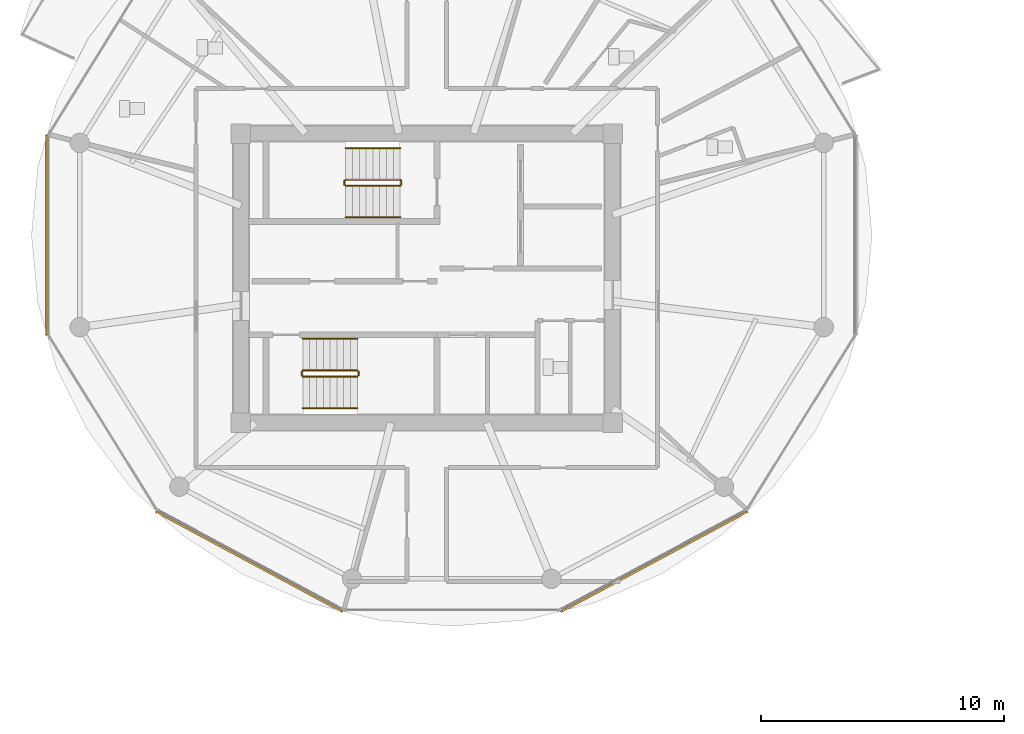
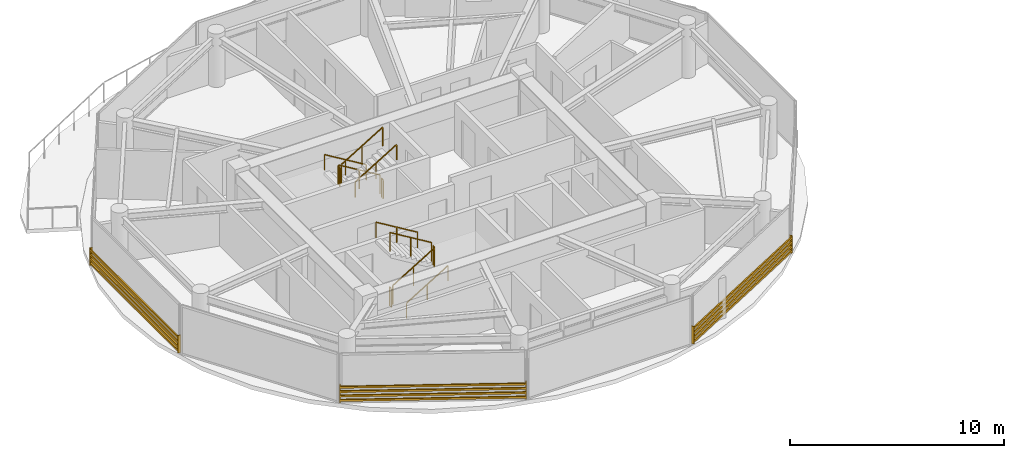
# One storey, part 18 of 21: 12 railings, 3 shading devices.
"""IFC4 building model written with IfcOpenShell, lengths in metres."""

from ifc_helpers import new_model, si_unit, direction, frame, origin, origin_2d, place, context, subcontext, project, spatial, rectangle, extrude, source, transform, mapped, material, type_object, type_shapes, element, save


model = new_model("IFC4")

# Units and contexts
model_context = context("Model", 3, precision=1e-05, world=origin(), true_north=direction((0.0, 1.0)))
body_context = subcontext(model_context, "Body", "Model", "MODEL_VIEW")
ifc_project = project(units=[si_unit("LENGTHUNIT", "METRE"), si_unit("AREAUNIT", "SQUARE_METRE"), si_unit("VOLUMEUNIT", "CUBIC_METRE"), si_unit("PLANEANGLEUNIT", "RADIAN"), si_unit("MASSUNIT", "GRAM", prefix="KILO")], contexts=[model_context])

# Site, building, storey
site_placement = place(None, origin())
site = spatial("IfcSite", under=ifc_project, at=site_placement, CompositionType="ELEMENT")
building_placement = place(site_placement, origin())
building = spatial("IfcBuilding", under=site, at=building_placement, Name="Norrkilde Senior Care Towers", CompositionType="ELEMENT")
storey_placement = place(building_placement, frame((0.0, 0.0, 146.5)))
storey = spatial("IfcBuildingStorey", under=building, at=storey_placement, Name="L45", CompositionType="ELEMENT", Elevation=146.5)

# Railings
ifc_material_1 = material(Name="Stainless Steel", Category="steel")
railing_type_1 = type_object("IfcRailingType", Name="Stair and Terrace Guardrail 1100", PredefinedType="GUARDRAIL", material=ifc_material_1)
railing_1_placement = place(storey_placement, frame((-29.10009765625, 4.050048828125, 0.16943359375)))
element("IfcRailing", 1, at=railing_1_placement, inside=storey, type_object=railing_type_1, Name="L45 ST-W1 stair guard 1", PredefinedType="GUARDRAIL", context=body_context, shape_type="SweptSolid", body=[
    extrude(rectangle(XDim=0.048095703125, YDim=0.048095703125, at=origin_2d()), frame((0.0, 0.0, 1.076171875), z_axis=(-0.855553338991, 0.0, 0.51771467445), x_axis=(0.0, -1.0, 0.0)), (0.0, 0.0, 1.0), 2.6181640625),
    extrude(rectangle(XDim=0.0419921875, YDim=0.0419921875, at=origin_2d()), origin(), (0.0, 0.0, 1.0), 1.050048828125),
    extrude(rectangle(XDim=0.0419921875, YDim=0.0419921875, at=origin_2d()), frame((-1.1201171875, 0.0, 0.677734375)), (0.0, 0.0, 1.0), 1.050048828125),
    extrude(rectangle(XDim=0.0419921875, YDim=0.0419921875, at=origin_2d()), frame((-2.239990234375, 0.0, 1.35546875)), (0.0, 0.0, 1.0), 1.050048828125),
])
railing_2_placement = place(storey_placement, frame((-31.389892578125, 4.0, 1.52490234375)))
element("IfcRailing", 2, at=railing_2_placement, inside=storey, type_object=railing_type_1, Name="L45 ST-W1 stair guard 2", PredefinedType="GUARDRAIL", context=body_context, shape_type="SweptSolid", body=[
    extrude(rectangle(XDim=0.048095703125, YDim=0.048095703125, at=origin_2d()), frame((0.0, 0.0, 1.076171875), z_axis=(0.0, -1.0, 0.0), x_axis=(1.0, 0.0, 0.0)), (0.0, 0.0, 1.0), 0.14990234375),
    extrude(rectangle(XDim=0.0419921875, YDim=0.0419921875, at=origin_2d()), origin(), (0.0, 0.0, 1.0), 1.050048828125),
    extrude(rectangle(XDim=0.0419921875, YDim=0.0419921875, at=origin_2d()), frame((0.0, -0.14990234375, 0.0)), (0.0, 0.0, 1.0), 1.050048828125),
])
railing_3_placement = place(storey_placement, frame((-31.340087890625, 3.800048828125, 1.6943359375)))
element("IfcRailing", 3, at=railing_3_placement, inside=storey, type_object=railing_type_1, Name="L45 ST-W1 stair guard 3", PredefinedType="GUARDRAIL", context=body_context, shape_type="SweptSolid", body=[
    extrude(rectangle(XDim=0.048095703125, YDim=0.048095703125, at=origin_2d()), frame((0.0, 0.0, 1.076171875), z_axis=(0.855512035549, 0.0, 0.517782924622), x_axis=(0.0, 1.0, 0.0)), (0.0, 0.0, 1.0), 2.618408203125),
    extrude(rectangle(XDim=0.0419921875, YDim=0.0419921875, at=origin_2d()), origin(), (0.0, 0.0, 1.0), 1.050048828125),
    extrude(rectangle(XDim=0.0419921875, YDim=0.0419921875, at=origin_2d()), frame((1.1201171875, 0.0, 0.677734375)), (0.0, 0.0, 1.0), 1.050048828125),
    extrude(rectangle(XDim=0.0419921875, YDim=0.0419921875, at=origin_2d()), frame((2.239990234375, 0.0, 1.355712890625)), (0.0, 0.0, 1.0), 1.050048828125),
])
railing_4_placement = place(storey_placement, frame((-29.050048828125, 4.0, 0.0)))
element("IfcRailing", 4, at=railing_4_placement, inside=storey, type_object=railing_type_1, Name="L45 ST-W1 stair guard 4", PredefinedType="GUARDRAIL", context=body_context, shape_type="SweptSolid", body=[
    extrude(rectangle(XDim=0.048095703125, YDim=0.048095703125, at=origin_2d()), frame((0.0, 0.0, 1.076171875), z_axis=(0.0, -1.0, 0.0), x_axis=(1.0, 0.0, 0.0)), (0.0, 0.0, 1.0), 0.14990234375),
    extrude(rectangle(XDim=0.0419921875, YDim=0.0419921875, at=origin_2d()), origin(), (0.0, 0.0, 1.0), 1.050048828125),
    extrude(rectangle(XDim=0.0419921875, YDim=0.0419921875, at=origin_2d()), frame((0.0, -0.14990234375, 0.0)), (0.0, 0.0, 1.0), 1.050048828125),
])
railing_5_placement = place(storey_placement, frame((-33.10009765625, -4.050048828125, 0.16943359375)))
element("IfcRailing", 5, at=railing_5_placement, inside=storey, type_object=railing_type_1, Name="L45 ST-W2 stair guard 1", PredefinedType="GUARDRAIL", context=body_context, shape_type="SweptSolid", body=[
    extrude(rectangle(XDim=0.048095703125, YDim=0.048095703125, at=origin_2d()), frame((0.0, 0.0, 1.076171875), z_axis=(0.855553338991, 0.0, 0.51771467445), x_axis=(0.0, 1.0, 0.0)), (0.0, 0.0, 1.0), 2.6181640625),
    extrude(rectangle(XDim=0.0419921875, YDim=0.0419921875, at=origin_2d()), origin(), (0.0, 0.0, 1.0), 1.050048828125),
    extrude(rectangle(XDim=0.0419921875, YDim=0.0419921875, at=origin_2d()), frame((1.1201171875, 0.0, 0.677734375)), (0.0, 0.0, 1.0), 1.050048828125),
    extrude(rectangle(XDim=0.0419921875, YDim=0.0419921875, at=origin_2d()), frame((2.239990234375, 0.0, 1.35546875)), (0.0, 0.0, 1.0), 1.050048828125),
])
railing_6_placement = place(storey_placement, frame((-30.81005859375, -4.0, 1.52490234375)))
element("IfcRailing", 6, at=railing_6_placement, inside=storey, type_object=railing_type_1, Name="L45 ST-W2 stair guard 2", PredefinedType="GUARDRAIL", context=body_context, shape_type="SweptSolid", body=[
    extrude(rectangle(XDim=0.048095703125, YDim=0.048095703125, at=origin_2d()), frame((0.0, 0.0, 1.076171875), z_axis=(0.0, 1.0, 0.0), x_axis=(-1.0, 0.0, 0.0)), (0.0, 0.0, 1.0), 0.14990234375),
    extrude(rectangle(XDim=0.0419921875, YDim=0.0419921875, at=origin_2d()), origin(), (0.0, 0.0, 1.0), 1.050048828125),
    extrude(rectangle(XDim=0.0419921875, YDim=0.0419921875, at=origin_2d()), frame((0.0, 0.14990234375, 0.0)), (0.0, 0.0, 1.0), 1.050048828125),
])
railing_7_placement = place(storey_placement, frame((-30.860107421875, -3.800048828125, 1.6943359375)))
element("IfcRailing", 7, at=railing_7_placement, inside=storey, type_object=railing_type_1, Name="L45 ST-W2 stair guard 3", PredefinedType="GUARDRAIL", context=body_context, shape_type="SweptSolid", body=[
    extrude(rectangle(XDim=0.048095703125, YDim=0.048095703125, at=origin_2d()), frame((0.0, 0.0, 1.076171875), z_axis=(-0.855512035549, 0.0, 0.517782924622), x_axis=(0.0, -1.0, 0.0)), (0.0, 0.0, 1.0), 2.618408203125),
    extrude(rectangle(XDim=0.0419921875, YDim=0.0419921875, at=origin_2d()), origin(), (0.0, 0.0, 1.0), 1.050048828125),
    extrude(rectangle(XDim=0.0419921875, YDim=0.0419921875, at=origin_2d()), frame((-1.1201171875, 0.0, 0.677734375)), (0.0, 0.0, 1.0), 1.050048828125),
    extrude(rectangle(XDim=0.0419921875, YDim=0.0419921875, at=origin_2d()), frame((-2.239990234375, 0.0, 1.355712890625)), (0.0, 0.0, 1.0), 1.050048828125),
])
railing_8_placement = place(storey_placement, frame((-33.14990234375, -4.0, 0.0)))
element("IfcRailing", 8, at=railing_8_placement, inside=storey, type_object=railing_type_1, Name="L45 ST-W2 stair guard 4", PredefinedType="GUARDRAIL", context=body_context, shape_type="SweptSolid", body=[
    extrude(rectangle(XDim=0.048095703125, YDim=0.048095703125, at=origin_2d()), frame((0.0, 0.0, 1.076171875), z_axis=(0.0, 1.0, 0.0), x_axis=(-1.0, 0.0, 0.0)), (0.0, 0.0, 1.0), 0.14990234375),
    extrude(rectangle(XDim=0.0419921875, YDim=0.0419921875, at=origin_2d()), origin(), (0.0, 0.0, 1.0), 1.050048828125),
    extrude(rectangle(XDim=0.0419921875, YDim=0.0419921875, at=origin_2d()), frame((0.0, 0.14990234375, 0.0)), (0.0, 0.0, 1.0), 1.050048828125),
])
ifc_material_2 = material(Name="Nordic Ash Timber", Category="wood")
railing_type_2 = type_object("IfcRailingType", Name="Wall and Stair Handrail 900", PredefinedType="HANDRAIL", material=ifc_material_2)
railing_9_placement = place(storey_placement, frame((-29.10009765625, 5.35009765625, 0.16943359375)))
element("IfcRailing", 9, at=railing_9_placement, inside=storey, type_object=railing_type_2, Name="L45 ST-W1 stair handrail 1", PredefinedType="HANDRAIL", context=body_context, shape_type="SweptSolid", body=[
    extrude(rectangle(XDim=0.048095703125, YDim=0.048095703125, at=origin_2d()), frame((0.0, 0.0, 0.8759765625), z_axis=(-0.855553338991, 0.0, 0.51771467445), x_axis=(0.0, -1.0, 0.0)), (0.0, 0.0, 1.0), 2.6181640625),
    extrude(rectangle(XDim=0.0419921875, YDim=0.0419921875, at=origin_2d()), origin(), (0.0, 0.0, 1.0), 0.849853515625),
    extrude(rectangle(XDim=0.0419921875, YDim=0.0419921875, at=origin_2d()), frame((-1.1201171875, 0.0, 0.677734375)), (0.0, 0.0, 1.0), 0.849853515625),
    extrude(rectangle(XDim=0.0419921875, YDim=0.0419921875, at=origin_2d()), frame((-2.239990234375, 0.0, 1.35546875)), (0.0, 0.0, 1.0), 0.849853515625),
])
railing_10_placement = place(storey_placement, frame((-31.340087890625, 2.5, 1.6943359375)))
element("IfcRailing", 10, at=railing_10_placement, inside=storey, type_object=railing_type_2, Name="L45 ST-W1 stair handrail 2", PredefinedType="HANDRAIL", context=body_context, shape_type="SweptSolid", body=[
    extrude(rectangle(XDim=0.048095703125, YDim=0.048095703125, at=origin_2d()), frame((0.0, 0.0, 0.8759765625), z_axis=(0.855512035549, 0.0, 0.517782924622), x_axis=(0.0, 1.0, 0.0)), (0.0, 0.0, 1.0), 2.618408203125),
    extrude(rectangle(XDim=0.0419921875, YDim=0.0419921875, at=origin_2d()), origin(), (0.0, 0.0, 1.0), 0.849853515625),
    extrude(rectangle(XDim=0.0419921875, YDim=0.0419921875, at=origin_2d()), frame((1.1201171875, 0.0, 0.677734375)), (0.0, 0.0, 1.0), 0.849853515625),
    extrude(rectangle(XDim=0.0419921875, YDim=0.0419921875, at=origin_2d()), frame((2.239990234375, 0.0, 1.355712890625)), (0.0, 0.0, 1.0), 0.849853515625),
])
railing_11_placement = place(storey_placement, frame((-33.10009765625, -5.35009765625, 0.16943359375)))
element("IfcRailing", 11, at=railing_11_placement, inside=storey, type_object=railing_type_2, Name="L45 ST-W2 stair handrail 1", PredefinedType="HANDRAIL", context=body_context, shape_type="SweptSolid", body=[
    extrude(rectangle(XDim=0.048095703125, YDim=0.048095703125, at=origin_2d()), frame((0.0, 0.0, 0.8759765625), z_axis=(0.855553338991, 0.0, 0.51771467445), x_axis=(0.0, 1.0, 0.0)), (0.0, 0.0, 1.0), 2.6181640625),
    extrude(rectangle(XDim=0.0419921875, YDim=0.0419921875, at=origin_2d()), origin(), (0.0, 0.0, 1.0), 0.849853515625),
    extrude(rectangle(XDim=0.0419921875, YDim=0.0419921875, at=origin_2d()), frame((1.1201171875, 0.0, 0.677734375)), (0.0, 0.0, 1.0), 0.849853515625),
    extrude(rectangle(XDim=0.0419921875, YDim=0.0419921875, at=origin_2d()), frame((2.239990234375, 0.0, 1.35546875)), (0.0, 0.0, 1.0), 0.849853515625),
])
railing_12_placement = place(storey_placement, frame((-30.860107421875, -2.5, 1.6943359375)))
element("IfcRailing", 12, at=railing_12_placement, inside=storey, type_object=railing_type_2, Name="L45 ST-W2 stair handrail 2", PredefinedType="HANDRAIL", context=body_context, shape_type="SweptSolid", body=[
    extrude(rectangle(XDim=0.048095703125, YDim=0.048095703125, at=origin_2d()), frame((0.0, 0.0, 0.8759765625), z_axis=(-0.855512035549, 0.0, 0.517782924622), x_axis=(0.0, -1.0, 0.0)), (0.0, 0.0, 1.0), 2.618408203125),
    extrude(rectangle(XDim=0.0419921875, YDim=0.0419921875, at=origin_2d()), origin(), (0.0, 0.0, 1.0), 0.849853515625),
    extrude(rectangle(XDim=0.0419921875, YDim=0.0419921875, at=origin_2d()), frame((-1.1201171875, 0.0, 0.677734375)), (0.0, 0.0, 1.0), 0.849853515625),
    extrude(rectangle(XDim=0.0419921875, YDim=0.0419921875, at=origin_2d()), frame((-2.239990234375, 0.0, 1.355712890625)), (0.0, 0.0, 1.0), 0.849853515625),
])

# Shading devices
ifc_material_3 = material(Name="Architectural Terracotta", Category="masonry")
shading_device_type = type_object("IfcShadingDeviceType", Name="Horizontal Terracotta Baguette Rack", PredefinedType="USERDEFINED", material=ifc_material_3)
shared_shape_1 = source(origin(), body_context, "Body", "SweptSolid", [
    extrude(rectangle(XDim=0.070068359375, YDim=0.110107421875, at=origin_2d()), frame((0.0, 0.090087890625, 0.125), z_axis=(1.0, 0.0, 0.0), x_axis=(0.0, 1.0, 0.0)), (0.0, 0.0, 1.0), 8.741943359375),
    extrude(rectangle(XDim=0.070068359375, YDim=0.110107421875, at=origin_2d()), frame((0.0, 0.090087890625, 0.375), z_axis=(1.0, 0.0, 0.0), x_axis=(0.0, 1.0, 0.0)), (0.0, 0.0, 1.0), 8.741943359375),
    extrude(rectangle(XDim=0.070068359375, YDim=0.110107421875, at=origin_2d()), frame((0.0, 0.090087890625, 0.625), z_axis=(1.0, 0.0, 0.0), x_axis=(0.0, 1.0, 0.0)), (0.0, 0.0, 1.0), 8.741943359375),
    extrude(rectangle(XDim=0.070068359375, YDim=0.110107421875, at=origin_2d()), frame((0.0, 0.090087890625, 0.875), z_axis=(1.0, 0.0, 0.0), x_axis=(0.0, 1.0, 0.0)), (0.0, 0.0, 1.0), 8.741943359375),
    extrude(rectangle(XDim=0.050048828125, YDim=0.1552734375, at=origin_2d()), frame((0.02490234375, 0.047607421875, 0.0)), (0.0, 0.0, 1.0), 1.0),
    extrude(rectangle(XDim=0.050048828125, YDim=0.1552734375, at=origin_2d()), frame((8.716796875, 0.047607421875, 0.0)), (0.0, 0.0, 1.0), 1.0),
])
shading_device_1_placement = place(storey_placement, frame((-14.826904296875, -9.524169921875, 0.080078125), z_axis=(0.0, 0.0, 1.0), x_axis=(-0.881000921608, -0.473119781048, 0.0)))
element("IfcShadingDevice", 13, at=shading_device_1_placement, inside=storey, type_object=shading_device_type, Name="L45 Drum W Terracotta Baguette Screen 09", ObjectType="BAGUETTE", PredefinedType="USERDEFINED", context=body_context, shape_type="MappedRepresentation", body=[
    mapped(shared_shape_1, transform((0.0, 0.0, 0.0), x_axis=(1.0, 0.0, 0.0), y_axis=(0.0, 1.0, 0.0), z_axis=(0.0, 0.0, 1.0), scale=1.0)),
])
shared_shape_2 = source(origin(), body_context, "Body", "SweptSolid", [
    extrude(rectangle(XDim=0.070068359375, YDim=0.110107421875, at=origin_2d()), frame((0.0, 0.090087890625, 0.125), z_axis=(1.0, 0.0, 0.0), x_axis=(0.0, 1.0, 0.0)), (0.0, 0.0, 1.0), 8.74169921875),
    extrude(rectangle(XDim=0.070068359375, YDim=0.110107421875, at=origin_2d()), frame((0.0, 0.090087890625, 0.375), z_axis=(1.0, 0.0, 0.0), x_axis=(0.0, 1.0, 0.0)), (0.0, 0.0, 1.0), 8.74169921875),
    extrude(rectangle(XDim=0.070068359375, YDim=0.110107421875, at=origin_2d()), frame((0.0, 0.090087890625, 0.625), z_axis=(1.0, 0.0, 0.0), x_axis=(0.0, 1.0, 0.0)), (0.0, 0.0, 1.0), 8.74169921875),
    extrude(rectangle(XDim=0.070068359375, YDim=0.110107421875, at=origin_2d()), frame((0.0, 0.090087890625, 0.875), z_axis=(1.0, 0.0, 0.0), x_axis=(0.0, 1.0, 0.0)), (0.0, 0.0, 1.0), 8.74169921875),
    extrude(rectangle(XDim=0.050048828125, YDim=0.1552734375, at=origin_2d()), frame((0.02490234375, 0.047607421875, 0.0)), (0.0, 0.0, 1.0), 1.0),
    extrude(rectangle(XDim=0.050048828125, YDim=0.1552734375, at=origin_2d()), frame((8.716796875, 0.047607421875, 0.0)), (0.0, 0.0, 1.0), 1.0),
])
shading_device_2_placement = place(storey_placement, frame((-31.421630859375, -13.66015625, 0.080078125), z_axis=(0.0, 0.0, 1.0), x_axis=(-0.880997598168, 0.47313299447, 0.0)))
element("IfcShadingDevice", 14, at=shading_device_2_placement, inside=storey, type_object=shading_device_type, Name="L45 Drum W Terracotta Baguette Screen 07", ObjectType="BAGUETTE", PredefinedType="USERDEFINED", context=body_context, shape_type="MappedRepresentation", body=[
    mapped(shared_shape_2, transform((0.0, 0.0, 0.0), x_axis=(1.0, 0.0, 0.0), y_axis=(0.0, 1.0, 0.0), z_axis=(0.0, 0.0, 1.0), scale=1.0)),
])
shared_shape_3 = source(origin(), body_context, "Body", "SweptSolid", [
    extrude(rectangle(XDim=0.070068359375, YDim=0.110107421875, at=origin_2d()), frame((0.0, 0.090087890625, 0.125), z_axis=(1.0, 0.0, 0.0), x_axis=(0.0, 1.0, 0.0)), (0.0, 0.0, 1.0), 8.27197265625),
    extrude(rectangle(XDim=0.070068359375, YDim=0.110107421875, at=origin_2d()), frame((0.0, 0.090087890625, 0.375), z_axis=(1.0, 0.0, 0.0), x_axis=(0.0, 1.0, 0.0)), (0.0, 0.0, 1.0), 8.27197265625),
    extrude(rectangle(XDim=0.070068359375, YDim=0.110107421875, at=origin_2d()), frame((0.0, 0.090087890625, 0.625), z_axis=(1.0, 0.0, 0.0), x_axis=(0.0, 1.0, 0.0)), (0.0, 0.0, 1.0), 8.27197265625),
    extrude(rectangle(XDim=0.070068359375, YDim=0.110107421875, at=origin_2d()), frame((0.0, 0.090087890625, 0.875), z_axis=(1.0, 0.0, 0.0), x_axis=(0.0, 1.0, 0.0)), (0.0, 0.0, 1.0), 8.27197265625),
    extrude(rectangle(XDim=0.050048828125, YDim=0.1552734375, at=origin_2d()), frame((0.02490234375, 0.047607421875, 0.0)), (0.0, 0.0, 1.0), 1.0),
    extrude(rectangle(XDim=0.050048828125, YDim=0.1552734375, at=origin_2d()), frame((8.2470703125, 0.047607421875, 0.0)), (0.0, 0.0, 1.0), 1.0),
])
type_shapes(shading_device_type, [shared_shape_1, shared_shape_2, shared_shape_3])
shading_device_3_placement = place(storey_placement, frame((-43.569580078125, -2.360595703125, 0.080078125), z_axis=(0.0, 0.0, 1.0), x_axis=(0.0, 1.0, 0.0)))
element("IfcShadingDevice", 15, at=shading_device_3_placement, inside=storey, type_object=shading_device_type, Name="L45 Drum W Terracotta Baguette Screen 05", ObjectType="BAGUETTE", PredefinedType="USERDEFINED", context=body_context, shape_type="MappedRepresentation", body=[
    mapped(shared_shape_3, transform((0.0, 0.0, 0.0), x_axis=(1.0, 0.0, 0.0), y_axis=(0.0, 1.0, 0.0), z_axis=(0.0, 0.0, 1.0), scale=1.0)),
])

save(model, "model.ifc")
